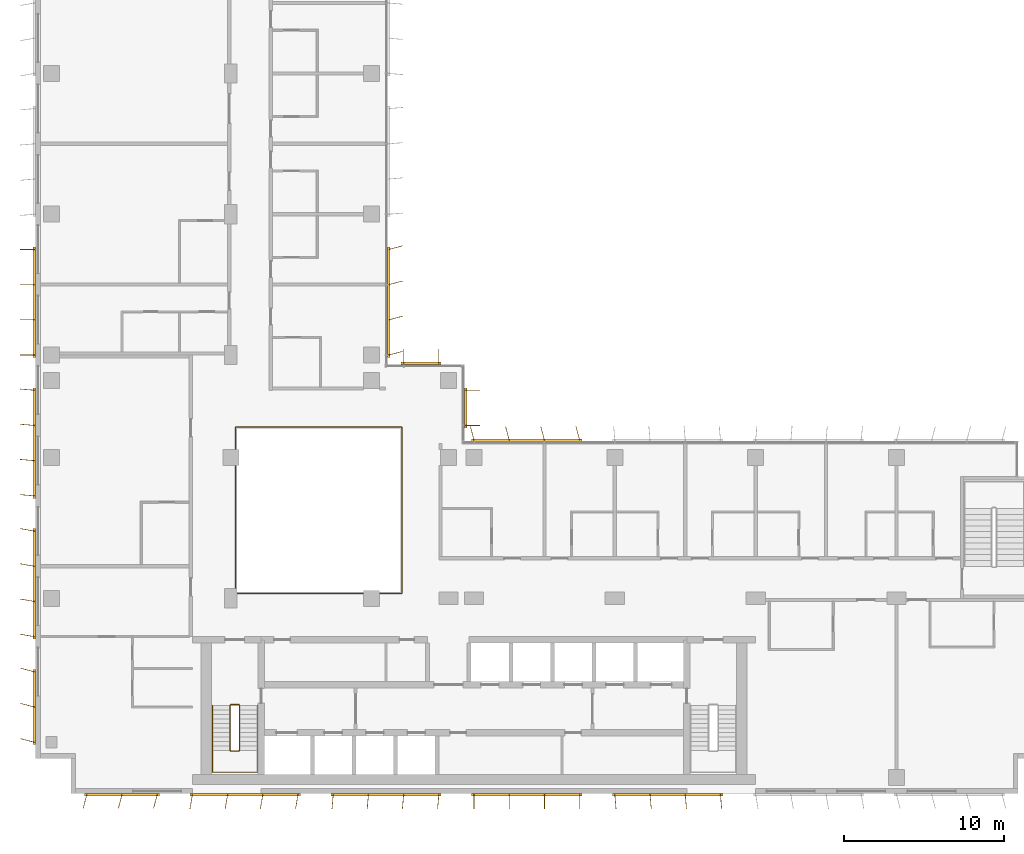
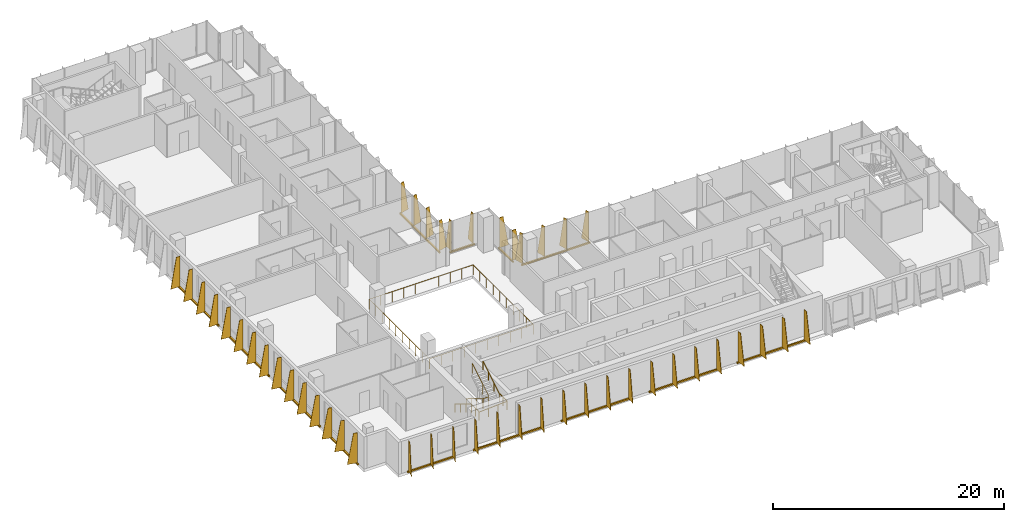
# One storey, part 19 of 21: 13 shading devices, 3 railings.
"""IFC4 building model written with IfcOpenShell, lengths in metres."""

from ifc_helpers import new_model, si_unit, direction, frame, origin, origin_2d, place, context, subcontext, project, spatial, polyline, rectangle, circle, outline, extrude, source, transform, mapped, material, layer, layer_set, type_object, element, save


model = new_model("IFC4")

# Units and contexts
model_context = context("Model", 3, precision=1e-05, world=origin(), true_north=direction((0.0, 1.0)))
body_context = subcontext(model_context, "Body", "Model", "MODEL_VIEW")
ifc_project = project(units=[si_unit("LENGTHUNIT", "METRE"), si_unit("AREAUNIT", "SQUARE_METRE"), si_unit("VOLUMEUNIT", "CUBIC_METRE"), si_unit("PLANEANGLEUNIT", "RADIAN"), si_unit("MASSUNIT", "GRAM", prefix="KILO")], contexts=[model_context])

# Site, building, storey
site_placement = place(None, origin())
site = spatial("IfcSite", under=ifc_project, at=site_placement, CompositionType="ELEMENT")
building_placement = place(site_placement, origin())
building = spatial("IfcBuilding", under=site, at=building_placement, Name="Kemantara Hotel Tower", CompositionType="ELEMENT")
storey_placement = place(building_placement, frame((0.0, 0.0, 215.39990234375)))
storey = spatial("IfcBuildingStorey", under=building, at=storey_placement, Name="L53", CompositionType="ELEMENT", Elevation=215.39990234375)

# Railings
ifc_material_1 = material(Name="Stainless steel and laminated glass balustrade", Category="steel")
railing_type_1 = type_object("IfcRailingType", Name="ATRIUM GUARD 1100", PredefinedType="GUARDRAIL", material=ifc_material_1)
railing_1_placement = place(storey_placement, frame((12.56005859375, 12.5, 0.0)))
element("IfcRailing", 1, at=railing_1_placement, inside=storey, type_object=railing_type_1, Name="ATRIUM GUARD L53", PredefinedType="GUARDRAIL", context=body_context, shape_type="SweptSolid", body=[
    extrude(circle(Radius=0.02490234375, at=origin_2d()), frame((0.0, 0.0, 1.0751953125), z_axis=(1.0, 0.0, 0.0), x_axis=(0.0, 1.0, 0.0)), (0.0, 0.0, 1.0), 10.33984375),
    extrude(circle(Radius=0.02490234375, at=origin_2d()), frame((10.33984375, 0.0, 1.0751953125), z_axis=(0.0, 1.0, 0.0), x_axis=(-1.0, 0.0, 0.0)), (0.0, 0.0, 1.0), 10.39990234375),
    extrude(circle(Radius=0.02490234375, at=origin_2d()), frame((10.33984375, 10.39990234375, 1.0751953125), z_axis=(-1.0, 0.0, 0.0), x_axis=(0.0, -1.0, 0.0)), (0.0, 0.0, 1.0), 10.39990234375),
    extrude(circle(Radius=0.02490234375, at=origin_2d()), frame((-0.06005859375, 10.39990234375, 1.0751953125), z_axis=(0.0, -1.0, 0.0), x_axis=(1.0, 0.0, 0.0)), (0.0, 0.0, 1.0), 10.39990234375),
    extrude(circle(Radius=0.02001953125, at=origin_2d()), origin(), (0.0, 0.0, 1.0), 1.050048828125),
    extrude(circle(Radius=0.02001953125, at=origin_2d()), frame((1.14892578125, 0.0, 0.0)), (0.0, 0.0, 1.0), 1.050048828125),
    extrude(circle(Radius=0.02001953125, at=origin_2d()), frame((2.2978515625, 0.0, 0.0)), (0.0, 0.0, 1.0), 1.050048828125),
    extrude(circle(Radius=0.02001953125, at=origin_2d()), frame((3.446533203125, 0.0, 0.0)), (0.0, 0.0, 1.0), 1.050048828125),
    extrude(circle(Radius=0.02001953125, at=origin_2d()), frame((4.595458984375, 0.0, 0.0)), (0.0, 0.0, 1.0), 1.050048828125),
    extrude(circle(Radius=0.02001953125, at=origin_2d()), frame((5.744384765625, 0.0, 0.0)), (0.0, 0.0, 1.0), 1.050048828125),
    extrude(circle(Radius=0.02001953125, at=origin_2d()), frame((6.893310546875, 0.0, 0.0)), (0.0, 0.0, 1.0), 1.050048828125),
    extrude(circle(Radius=0.02001953125, at=origin_2d()), frame((8.0419921875, 0.0, 0.0)), (0.0, 0.0, 1.0), 1.050048828125),
    extrude(circle(Radius=0.02001953125, at=origin_2d()), frame((9.19091796875, 0.0, 0.0)), (0.0, 0.0, 1.0), 1.050048828125),
    extrude(circle(Radius=0.02001953125, at=origin_2d()), frame((10.33984375, 0.0, 0.0)), (0.0, 0.0, 1.0), 1.050048828125),
    extrude(circle(Radius=0.02001953125, at=origin_2d()), frame((10.33984375, 1.155517578125, 0.0)), (0.0, 0.0, 1.0), 1.050048828125),
    extrude(circle(Radius=0.02001953125, at=origin_2d()), frame((10.33984375, 2.31103515625, 0.0)), (0.0, 0.0, 1.0), 1.050048828125),
    extrude(circle(Radius=0.02001953125, at=origin_2d()), frame((10.33984375, 3.466552734375, 0.0)), (0.0, 0.0, 1.0), 1.050048828125),
    extrude(circle(Radius=0.02001953125, at=origin_2d()), frame((10.33984375, 4.6220703125, 0.0)), (0.0, 0.0, 1.0), 1.050048828125),
    extrude(circle(Radius=0.02001953125, at=origin_2d()), frame((10.33984375, 5.77783203125, 0.0)), (0.0, 0.0, 1.0), 1.050048828125),
    extrude(circle(Radius=0.02001953125, at=origin_2d()), frame((10.33984375, 6.933349609375, 0.0)), (0.0, 0.0, 1.0), 1.050048828125),
    extrude(circle(Radius=0.02001953125, at=origin_2d()), frame((10.33984375, 8.0888671875, 0.0)), (0.0, 0.0, 1.0), 1.050048828125),
    extrude(circle(Radius=0.02001953125, at=origin_2d()), frame((10.33984375, 9.244384765625, 0.0)), (0.0, 0.0, 1.0), 1.050048828125),
    extrude(circle(Radius=0.02001953125, at=origin_2d()), frame((10.33984375, 10.39990234375, 0.0)), (0.0, 0.0, 1.0), 1.050048828125),
    extrude(circle(Radius=0.02001953125, at=origin_2d()), frame((9.184326171875, 10.39990234375, 0.0)), (0.0, 0.0, 1.0), 1.050048828125),
    extrude(circle(Radius=0.02001953125, at=origin_2d()), frame((8.02880859375, 10.39990234375, 0.0)), (0.0, 0.0, 1.0), 1.050048828125),
    extrude(circle(Radius=0.02001953125, at=origin_2d()), frame((6.873291015625, 10.39990234375, 0.0)), (0.0, 0.0, 1.0), 1.050048828125),
    extrude(circle(Radius=0.02001953125, at=origin_2d()), frame((5.7177734375, 10.39990234375, 0.0)), (0.0, 0.0, 1.0), 1.050048828125),
    extrude(circle(Radius=0.02001953125, at=origin_2d()), frame((4.56201171875, 10.39990234375, 0.0)), (0.0, 0.0, 1.0), 1.050048828125),
    extrude(circle(Radius=0.02001953125, at=origin_2d()), frame((3.406494140625, 10.39990234375, 0.0)), (0.0, 0.0, 1.0), 1.050048828125),
    extrude(circle(Radius=0.02001953125, at=origin_2d()), frame((2.2509765625, 10.39990234375, 0.0)), (0.0, 0.0, 1.0), 1.050048828125),
    extrude(circle(Radius=0.02001953125, at=origin_2d()), frame((1.095458984375, 10.39990234375, 0.0)), (0.0, 0.0, 1.0), 1.050048828125),
    extrude(circle(Radius=0.02001953125, at=origin_2d()), frame((-0.06005859375, 10.39990234375, 0.0)), (0.0, 0.0, 1.0), 1.050048828125),
    extrude(circle(Radius=0.02001953125, at=origin_2d()), frame((-0.06005859375, 9.244384765625, 0.0)), (0.0, 0.0, 1.0), 1.050048828125),
    extrude(circle(Radius=0.02001953125, at=origin_2d()), frame((-0.06005859375, 8.0888671875, 0.0)), (0.0, 0.0, 1.0), 1.050048828125),
    extrude(circle(Radius=0.02001953125, at=origin_2d()), frame((-0.06005859375, 6.933349609375, 0.0)), (0.0, 0.0, 1.0), 1.050048828125),
    extrude(circle(Radius=0.02001953125, at=origin_2d()), frame((-0.06005859375, 5.77783203125, 0.0)), (0.0, 0.0, 1.0), 1.050048828125),
    extrude(circle(Radius=0.02001953125, at=origin_2d()), frame((-0.06005859375, 4.6220703125, 0.0)), (0.0, 0.0, 1.0), 1.050048828125),
    extrude(circle(Radius=0.02001953125, at=origin_2d()), frame((-0.06005859375, 3.466552734375, 0.0)), (0.0, 0.0, 1.0), 1.050048828125),
    extrude(circle(Radius=0.02001953125, at=origin_2d()), frame((-0.06005859375, 2.31103515625, 0.0)), (0.0, 0.0, 1.0), 1.050048828125),
    extrude(circle(Radius=0.02001953125, at=origin_2d()), frame((-0.06005859375, 1.155517578125, 0.0)), (0.0, 0.0, 1.0), 1.050048828125),
    extrude(circle(Radius=0.02001953125, at=origin_2d()), frame((-0.06005859375, 0.0, 0.0)), (0.0, 0.0, 1.0), 1.050048828125),
])
ifc_material_2 = material(Name="Stainless steel balustrade", Category="steel")
railing_type_2 = type_object("IfcRailingType", Name="Stair guard 1100 mm", PredefinedType="GUARDRAIL", material=ifc_material_2)
railing_2_placement = place(storey_placement, frame((12.75, 5.5, 3.7001953125)))
element("IfcRailing", 2, at=railing_2_placement, inside=storey, type_object=railing_type_2, Name="L53 ST1 stair guard 1", PredefinedType="GUARDRAIL", context=body_context, shape_type="SweptSolid", body=[
    extrude(circle(Radius=0.02392578125, at=origin_2d()), frame((0.0, 0.0, 1.076171875), z_axis=(0.0, -0.857242210791, -0.514913383045), x_axis=(1.0, 0.0, 0.0)), (0.0, 0.0, 1.0), 3.266357421875),
    extrude(circle(Radius=0.02392578125, at=origin_2d()), frame((0.0, -2.800048828125, -0.60595703125), z_axis=(-0.274243871929, -0.274243871929, -0.92172696468), x_axis=(0.707106781187, -0.707106781187, 0.0)), (0.0, 0.0, 1.0), 0.1826171875),
    extrude(circle(Radius=0.02392578125, at=origin_2d()), frame((-0.050048828125, -2.85009765625, -0.77392578125), z_axis=(-1.0, 0.0, 0.0), x_axis=(0.0, -1.0, 0.0)), (0.0, 0.0, 1.0), 0.5),
    extrude(circle(Radius=0.02392578125, at=origin_2d()), frame((-0.550048828125, -2.85009765625, -0.77392578125), z_axis=(-0.707106781187, 0.707106781187, 0.0), x_axis=(-0.707106781187, -0.707106781187, 0.0)), (0.0, 0.0, 1.0), 0.07080078125),
    extrude(circle(Radius=0.02392578125, at=origin_2d()), frame((-0.60009765625, -2.800048828125, -0.77392578125), z_axis=(0.0, 0.857242210791, -0.514913383045), x_axis=(-1.0, 0.0, 0.0)), (0.0, 0.0, 1.0), 3.266357421875),
    extrude(circle(Radius=0.02392578125, at=origin_2d()), frame((-0.60009765625, 0.0, -2.4560546875), z_axis=(0.274243871929, 0.274243871929, -0.92172696468), x_axis=(-0.707106781187, 0.707106781187, 0.0)), (0.0, 0.0, 1.0), 0.1826171875),
    extrude(circle(Radius=0.02392578125, at=origin_2d()), frame((-0.550048828125, 0.050048828125, -2.6240234375), z_axis=(1.0, 0.0, 0.0), x_axis=(0.0, 1.0, 0.0)), (0.0, 0.0, 1.0), 0.5),
    extrude(circle(Radius=0.02099609375, at=origin_2d()), origin(), (0.0, 0.0, 1.0), 1.052001953125),
    extrude(circle(Radius=0.02099609375, at=origin_2d()), frame((0.0, -0.933349609375, -0.560546875)), (0.0, 0.0, 1.0), 1.052001953125),
    extrude(circle(Radius=0.02099609375, at=origin_2d()), frame((0.0, -1.86669921875, -1.121337890625)), (0.0, 0.0, 1.0), 1.052001953125),
    extrude(circle(Radius=0.02099609375, at=origin_2d()), frame((0.0, -2.800048828125, -1.681884765625)), (0.0, 0.0, 1.0), 1.052001953125),
    extrude(circle(Radius=0.02099609375, at=origin_2d()), frame((-0.050048828125, -2.85009765625, -1.85009765625)), (0.0, 0.0, 1.0), 1.052001953125),
    extrude(circle(Radius=0.02099609375, at=origin_2d()), frame((-0.550048828125, -2.85009765625, -1.85009765625)), (0.0, 0.0, 1.0), 1.052001953125),
    extrude(circle(Radius=0.02099609375, at=origin_2d()), frame((-0.60009765625, -2.800048828125, -1.85009765625)), (0.0, 0.0, 1.0), 1.052001953125),
    extrude(circle(Radius=0.02099609375, at=origin_2d()), frame((-0.60009765625, -1.86669921875, -2.41064453125)), (0.0, 0.0, 1.0), 1.052001953125),
    extrude(circle(Radius=0.02099609375, at=origin_2d()), frame((-0.60009765625, -0.933349609375, -2.971435546875)), (0.0, 0.0, 1.0), 1.052001953125),
    extrude(circle(Radius=0.02099609375, at=origin_2d()), frame((-0.60009765625, 0.0, -3.531982421875)), (0.0, 0.0, 1.0), 1.052001953125),
    extrude(circle(Radius=0.02099609375, at=origin_2d()), frame((-0.550048828125, 0.050048828125, -3.7001953125)), (0.0, 0.0, 1.0), 1.052001953125),
    extrude(circle(Radius=0.02099609375, at=origin_2d()), frame((-0.050048828125, 0.050048828125, -3.7001953125)), (0.0, 0.0, 1.0), 1.052001953125),
])
railing_type_3 = type_object("IfcRailingType", Name="Stair handrail 900 mm", PredefinedType="HANDRAIL", material=ifc_material_2)
railing_3_placement = place(storey_placement, frame((11.050048828125, 5.5, 0.168212890625)))
element("IfcRailing", 3, at=railing_3_placement, inside=storey, type_object=railing_type_3, Name="L53 ST1 stair handrail 1", PredefinedType="HANDRAIL", context=body_context, shape_type="SweptSolid", body=[
    extrude(circle(Radius=0.02392578125, at=origin_2d()), frame((0.0, 0.0, 0.8759765625), z_axis=(0.0, -0.857242210791, 0.514913383045), x_axis=(1.0, 0.0, 0.0)), (0.0, 0.0, 1.0), 3.266357421875),
    extrude(circle(Radius=0.02392578125, at=origin_2d()), frame((0.0, -2.800048828125, 2.5576171875), z_axis=(0.0, -1.0, 0.0), x_axis=(1.0, 0.0, 0.0)), (0.0, 0.0, 1.0), 1.3798828125),
    extrude(circle(Radius=0.02392578125, at=origin_2d()), frame((0.0, -4.179931640625, 2.5576171875), z_axis=(0.998200367801, 0.0, 0.059966871865), x_axis=(0.0, 1.0, 0.0)), (0.0, 0.0, 1.0), 2.80517578125),
    extrude(circle(Radius=0.02392578125, at=origin_2d()), frame((2.800048828125, -4.179931640625, 2.72607421875), z_axis=(0.0, 1.0, 0.0), x_axis=(-1.0, 0.0, 0.0)), (0.0, 0.0, 1.0), 1.3798828125),
    extrude(circle(Radius=0.02392578125, at=origin_2d()), frame((2.800048828125, -2.800048828125, 2.72607421875), z_axis=(0.0, 0.857242210791, 0.514913383045), x_axis=(-1.0, 0.0, 0.0)), (0.0, 0.0, 1.0), 3.266357421875),
    extrude(circle(Radius=0.02099609375, at=origin_2d()), origin(), (0.0, 0.0, 1.0), 0.851806640625),
    extrude(circle(Radius=0.02099609375, at=origin_2d()), frame((0.0, -0.933349609375, 0.560546875)), (0.0, 0.0, 1.0), 0.851806640625),
    extrude(circle(Radius=0.02099609375, at=origin_2d()), frame((0.0, -1.86669921875, 1.121337890625)), (0.0, 0.0, 1.0), 0.851806640625),
    extrude(circle(Radius=0.02099609375, at=origin_2d()), frame((0.0, -2.800048828125, 1.681884765625)), (0.0, 0.0, 1.0), 0.851806640625),
    extrude(circle(Radius=0.02099609375, at=origin_2d()), frame((0.0, -3.489990234375, 1.681884765625)), (0.0, 0.0, 1.0), 0.851806640625),
    extrude(circle(Radius=0.02099609375, at=origin_2d()), frame((0.0, -4.179931640625, 1.681884765625)), (0.0, 0.0, 1.0), 0.851806640625),
    extrude(circle(Radius=0.02099609375, at=origin_2d()), frame((0.933349609375, -4.179931640625, 1.738037109375)), (0.0, 0.0, 1.0), 0.851806640625),
    extrude(circle(Radius=0.02099609375, at=origin_2d()), frame((1.86669921875, -4.179931640625, 1.7939453125)), (0.0, 0.0, 1.0), 0.851806640625),
    extrude(circle(Radius=0.02099609375, at=origin_2d()), frame((2.800048828125, -4.179931640625, 1.85009765625)), (0.0, 0.0, 1.0), 0.851806640625),
    extrude(circle(Radius=0.02099609375, at=origin_2d()), frame((2.800048828125, -3.489990234375, 1.85009765625)), (0.0, 0.0, 1.0), 0.851806640625),
    extrude(circle(Radius=0.02099609375, at=origin_2d()), frame((2.800048828125, -2.800048828125, 1.85009765625)), (0.0, 0.0, 1.0), 0.851806640625),
    extrude(circle(Radius=0.02099609375, at=origin_2d()), frame((2.800048828125, -1.86669921875, 2.41064453125)), (0.0, 0.0, 1.0), 0.851806640625),
    extrude(circle(Radius=0.02099609375, at=origin_2d()), frame((2.800048828125, -0.933349609375, 2.971435546875)), (0.0, 0.0, 1.0), 0.851806640625),
    extrude(circle(Radius=0.02099609375, at=origin_2d()), frame((2.800048828125, 0.0, 3.531982421875)), (0.0, 0.0, 1.0), 0.851806640625),
])

# Shading devices
ifc_material_3 = material(Name="Perforated aluminium plate 4 mm bronze anodised", Category="aluminium")
ifc_layer_1 = layer(ifc_material_3, 0.0400390625)
ifc_layer_set_1 = layer_set([ifc_layer_1], Name="Perforated aluminium plate 4 mm bronze anodised")
shading_device_type_1 = type_object("IfcShadingDeviceType", Name="SCREEN FIN CASSETTE, 3 BLADES AT -15.0 DEG, 3200 HIGH", PredefinedType="USERDEFINED", material=ifc_layer_set_1)
shared_shape_1 = source(origin(), body_context, "Body", "SweptSolid", [
    extrude(rectangle(XDim=4.699951171875, YDim=0.14990234375, at=origin_2d()), frame((2.199951171875, -0.074951171875, -0.14990234375), z_axis=(0.0, 0.0, 1.0), x_axis=(1.0, 0.0, 0.0)), (0.0, 0.0, 1.0), 0.14990234375),
    extrude(outline(polyline([(0.0, 0.0), (0.89990234375, 0.0), (0.35009765625, 3.199951171875), (0.0, 3.199951171875), (0.0, 0.0)])), frame((0.019287109375, -0.080078125, 0.0), z_axis=(-0.966437683387, 0.256901156343, 0.0), x_axis=(-0.256901156343, -0.966437683387, 0.0)), (0.0, 0.0, 1.0), 0.039794921875),
    extrude(outline(polyline([(0.0, 0.0), (0.89990234375, 0.0), (0.35009765625, 3.199951171875), (0.0, 3.199951171875), (0.0, 0.0)])), frame((2.21923828125, -0.080078125, 0.0), z_axis=(-0.966437683387, 0.256901156343, 0.0), x_axis=(-0.256901156343, -0.966437683387, 0.0)), (0.0, 0.0, 1.0), 0.039794921875),
    extrude(outline(polyline([(0.0, 0.0), (0.89990234375, 0.0), (0.35009765625, 3.199951171875), (0.0, 3.199951171875), (0.0, 0.0)])), frame((4.41943359375, -0.080078125, 0.0), z_axis=(-0.966837822169, 0.255391122837, 0.0), x_axis=(-0.255391122837, -0.966837822169, 0.0)), (0.0, 0.0, 1.0), 0.0400390625),
])
for number, where, z_axis, x_axis, name in (
    (4, (0.0, 7.60009765625, 0.10009765625), (0.0, 0.0, 1.0), (0.0, -1.0, 0.0), "SCREEN FIN CASSETTE L53 T3-R05-7"),
    (5, (3.199951171875, 0.0, 0.10009765625), (0.0, 0.0, 1.0), (1.0, 0.0, 0.0), "SCREEN FIN CASSETTE L53 T3-R08-1"),
):
    element("IfcShadingDevice", number, at=place(storey_placement, frame(where, z_axis=z_axis, x_axis=x_axis)), inside=storey, type_object=shading_device_type_1, Name=name, ObjectType="SCREEN FIN", PredefinedType="USERDEFINED", context=body_context, shape_type="MappedRepresentation", body=[
        mapped(shared_shape_1, transform((0.0, 0.0, 0.0))),
    ])
ifc_layer_2 = layer(ifc_material_3, 0.0400390625)
ifc_layer_set_2 = layer_set([ifc_layer_2], Name="Perforated aluminium plate 4 mm bronze anodised")
shading_device_type_2 = type_object("IfcShadingDeviceType", Name="SCREEN FIN CASSETTE, 4 BLADES AT -10.0 DEG, 3200 HIGH", PredefinedType="USERDEFINED", material=ifc_layer_set_2)
shared_shape_2 = source(origin(), body_context, "Body", "SweptSolid", [
    extrude(rectangle(XDim=6.89990234375, YDim=0.14990234375, at=origin_2d()), frame((3.300048828125, -0.074951171875, -0.14990234375), z_axis=(0.0, 0.0, 1.0), x_axis=(1.0, 0.0, 0.0)), (0.0, 0.0, 1.0), 0.14990234375),
    extrude(outline(polyline([(0.0, 0.0), (0.89990234375, 0.0), (0.35009765625, 3.199951171875), (0.0, 3.199951171875), (0.0, 0.0)])), frame((0.019775390625, -0.078369140625, 0.0), z_axis=(-0.985389793052, 0.170314285219, 0.0), x_axis=(-0.170314285219, -0.985389793052, 0.0)), (0.0, 0.0, 1.0), 0.0400390625),
    extrude(outline(polyline([(0.0, 0.0), (0.89990234375, 0.0), (0.35009765625, 3.199951171875), (0.0, 3.199951171875), (0.0, 0.0)])), frame((2.2197265625, -0.078369140625, 0.0), z_axis=(-0.98521175482, 0.171341174751, 0.0), x_axis=(-0.171341174751, -0.98521175482, 0.0)), (0.0, 0.0, 1.0), 0.039794921875),
    extrude(outline(polyline([(0.0, 0.0), (0.89990234375, 0.0), (0.35009765625, 3.199951171875), (0.0, 3.199951171875), (0.0, 0.0)])), frame((4.419677734375, -0.078369140625, 0.0), z_axis=(-0.98521175482, 0.171341174751, 0.0), x_axis=(-0.171341174751, -0.98521175482, 0.0)), (0.0, 0.0, 1.0), 0.039794921875),
    extrude(outline(polyline([(0.0, 0.0), (0.89990234375, 0.0), (0.35009765625, 3.199951171875), (0.0, 3.199951171875), (0.0, 0.0)])), frame((6.61962890625, -0.078369140625, 0.0), z_axis=(-0.98521175482, 0.171341174751, 0.0), x_axis=(-0.171341174751, -0.98521175482, 0.0)), (0.0, 0.0, 1.0), 0.039794921875),
])
for number, where, z_axis, x_axis, name in (
    (6, (0.0, 16.39990234375, 0.10009765625), (0.0, 0.0, 1.0), (0.0, -1.0, 0.0), "SCREEN FIN CASSETTE L53 T3-R05-6"),
    (7, (9.800048828125, 0.0, 0.10009765625), (0.0, 0.0, 1.0), (1.0, 0.0, 0.0), "SCREEN FIN CASSETTE L53 T3-R08-2"),
):
    element("IfcShadingDevice", number, at=place(storey_placement, frame(where, z_axis=z_axis, x_axis=x_axis)), inside=storey, type_object=shading_device_type_2, Name=name, ObjectType="SCREEN FIN", PredefinedType="USERDEFINED", context=body_context, shape_type="MappedRepresentation", body=[
        mapped(shared_shape_2, transform((0.0, 0.0, 0.0))),
    ])
ifc_layer_3 = layer(ifc_material_3, 0.0400390625)
ifc_layer_set_3 = layer_set([ifc_layer_3], Name="Perforated aluminium plate 4 mm bronze anodised")
shading_device_type_3 = type_object("IfcShadingDeviceType", Name="SCREEN FIN CASSETTE, 4 BLADES AT -5.0 DEG, 3200 HIGH", PredefinedType="USERDEFINED", material=ifc_layer_set_3)
shared_shape_3 = source(origin(), body_context, "Body", "SweptSolid", [
    extrude(rectangle(XDim=6.89990234375, YDim=0.14990234375, at=origin_2d()), frame((3.300048828125, -0.074951171875, -0.14990234375), z_axis=(0.0, 0.0, 1.0), x_axis=(1.0, 0.0, 0.0)), (0.0, 0.0, 1.0), 0.14990234375),
    extrude(outline(polyline([(0.0, 0.0), (0.89990234375, 0.0), (0.35009765625, 3.199951171875), (0.0, 3.199951171875), (0.0, 0.0)])), frame((0.02001953125, -0.07666015625, 0.0), z_axis=(-0.996376129781, 0.085056498884, 0.0), x_axis=(-0.085056498884, -0.996376129781, 0.0)), (0.0, 0.0, 1.0), 0.040283203125),
    extrude(outline(polyline([(0.0, 0.0), (0.89990234375, 0.0), (0.35009765625, 3.199951171875), (0.0, 3.199951171875), (0.0, 0.0)])), frame((2.219970703125, -0.07666015625, 0.0), z_axis=(-0.996331773833, 0.085574508182, 0.0), x_axis=(-0.085574508182, -0.996331773833, 0.0)), (0.0, 0.0, 1.0), 0.0400390625),
    extrude(outline(polyline([(0.0, 0.0), (0.89990234375, 0.0), (0.35009765625, 3.199951171875), (0.0, 3.199951171875), (0.0, 0.0)])), frame((4.419921875, -0.07666015625, 0.0), z_axis=(-0.996331773833, 0.085574508182, 0.0), x_axis=(-0.085574508182, -0.996331773833, 0.0)), (0.0, 0.0, 1.0), 0.0400390625),
    extrude(outline(polyline([(0.0, 0.0), (0.89990234375, 0.0), (0.35009765625, 3.199951171875), (0.0, 3.199951171875), (0.0, 0.0)])), frame((6.619873046875, -0.07666015625, 0.0), z_axis=(-0.996331773833, 0.085574508182, 0.0), x_axis=(-0.085574508182, -0.996331773833, 0.0)), (0.0, 0.0, 1.0), 0.0400390625),
])
for number, where, z_axis, x_axis, name in (
    (8, (0.0, 25.199951171875, 0.10009765625), (0.0, 0.0, 1.0), (0.0, -1.0, 0.0), "SCREEN FIN CASSETTE L53 T3-R05-5"),
    (9, (18.60009765625, 0.0, 0.10009765625), (0.0, 0.0, 1.0), (1.0, 0.0, 0.0), "SCREEN FIN CASSETTE L53 T3-R08-3"),
):
    element("IfcShadingDevice", number, at=place(storey_placement, frame(where, z_axis=z_axis, x_axis=x_axis)), inside=storey, type_object=shading_device_type_3, Name=name, ObjectType="SCREEN FIN", PredefinedType="USERDEFINED", context=body_context, shape_type="MappedRepresentation", body=[
        mapped(shared_shape_3, transform((0.0, 0.0, 0.0))),
    ])
ifc_layer_4 = layer(ifc_material_3, 0.0400390625)
ifc_layer_set_4 = layer_set([ifc_layer_4], Name="Perforated aluminium plate 4 mm bronze anodised")
shading_device_type_4 = type_object("IfcShadingDeviceType", Name="SCREEN FIN CASSETTE, 4 BLADES AT +0.0 DEG, 3200 HIGH", PredefinedType="USERDEFINED", material=ifc_layer_set_4)
shared_shape_4 = source(origin(), body_context, "Body", "SweptSolid", [
    extrude(rectangle(XDim=6.89990234375, YDim=0.14990234375, at=origin_2d()), frame((3.300048828125, -0.074951171875, -0.14990234375), z_axis=(0.0, 0.0, 1.0), x_axis=(1.0, 0.0, 0.0)), (0.0, 0.0, 1.0), 0.14990234375),
    extrude(outline(polyline([(0.0, 0.0), (0.89990234375, 0.0), (0.35009765625, 3.199951171875), (0.0, 3.199951171875), (0.0, 0.0)])), frame((0.02001953125, -0.074951171875, 0.0), z_axis=(-1.0, 0.0, 0.0), x_axis=(0.0, -1.0, 0.0)), (0.0, 0.0, 1.0), 0.0400390625),
    extrude(outline(polyline([(0.0, 0.0), (0.89990234375, 0.0), (0.35009765625, 3.199951171875), (0.0, 3.199951171875), (0.0, 0.0)])), frame((2.219970703125, -0.074951171875, 0.0), z_axis=(-1.0, 0.0, 0.0), x_axis=(0.0, -1.0, 0.0)), (0.0, 0.0, 1.0), 0.0400390625),
    extrude(outline(polyline([(0.0, 0.0), (0.89990234375, 0.0), (0.35009765625, 3.199951171875), (0.0, 3.199951171875), (0.0, 0.0)])), frame((4.419921875, -0.074951171875, 0.0), z_axis=(-1.0, 0.0, 0.0), x_axis=(0.0, -1.0, 0.0)), (0.0, 0.0, 1.0), 0.0400390625),
    extrude(outline(polyline([(0.0, 0.0), (0.89990234375, 0.0), (0.35009765625, 3.199951171875), (0.0, 3.199951171875), (0.0, 0.0)])), frame((6.6201171875, -0.074951171875, 0.0), z_axis=(-1.0, 0.0, 0.0), x_axis=(0.0, -1.0, 0.0)), (0.0, 0.0, 1.0), 0.0400390625),
])
for number, where, z_axis, x_axis, name in (
    (10, (0.0, 34.0, 0.10009765625), (0.0, 0.0, 1.0), (0.0, -1.0, 0.0), "SCREEN FIN CASSETTE L53 T3-R05-4"),
    (11, (27.39990234375, 0.0, 0.10009765625), (0.0, 0.0, 1.0), (1.0, 0.0, 0.0), "SCREEN FIN CASSETTE L53 T3-R08-4"),
):
    element("IfcShadingDevice", number, at=place(storey_placement, frame(where, z_axis=z_axis, x_axis=x_axis)), inside=storey, type_object=shading_device_type_4, Name=name, ObjectType="SCREEN FIN", PredefinedType="USERDEFINED", context=body_context, shape_type="MappedRepresentation", body=[
        mapped(shared_shape_4, transform((0.0, 0.0, 0.0))),
    ])
ifc_layer_5 = layer(ifc_material_3, 0.0400390625)
ifc_layer_set_5 = layer_set([ifc_layer_5], Name="Perforated aluminium plate 4 mm bronze anodised")
shading_device_type_5 = type_object("IfcShadingDeviceType", Name="SCREEN FIN CASSETTE, 4 BLADES AT +5.0 DEG, 3200 HIGH", PredefinedType="USERDEFINED", material=ifc_layer_set_5)
shared_shape_5 = source(origin(), body_context, "Body", "SweptSolid", [
    extrude(rectangle(XDim=6.89990234375, YDim=0.14990234375, at=origin_2d()), frame((3.300048828125, -0.074951171875, -0.14990234375), z_axis=(0.0, 0.0, 1.0), x_axis=(1.0, 0.0, 0.0)), (0.0, 0.0, 1.0), 0.14990234375),
    extrude(outline(polyline([(0.0, 0.0), (0.89990234375, 0.0), (0.35009765625, 3.199951171875), (0.0, 3.199951171875), (0.0, 0.0)])), frame((0.02001953125, -0.0732421875, 0.0), z_axis=(-0.996376129781, -0.085056498884, 0.0), x_axis=(0.085056498884, -0.996376129781, 0.0)), (0.0, 0.0, 1.0), 0.040283203125),
    extrude(outline(polyline([(0.0, 0.0), (0.89990234375, 0.0), (0.35009765625, 3.199951171875), (0.0, 3.199951171875), (0.0, 0.0)])), frame((2.219970703125, -0.0732421875, 0.0), z_axis=(-0.996331773833, -0.085574508182, 0.0), x_axis=(0.085574508182, -0.996331773833, 0.0)), (0.0, 0.0, 1.0), 0.0400390625),
    extrude(outline(polyline([(0.0, 0.0), (0.89990234375, 0.0), (0.35009765625, 3.199951171875), (0.0, 3.199951171875), (0.0, 0.0)])), frame((4.419921875, -0.0732421875, 0.0), z_axis=(-0.996331773833, -0.085574508182, 0.0), x_axis=(0.085574508182, -0.996331773833, 0.0)), (0.0, 0.0, 1.0), 0.0400390625),
    extrude(outline(polyline([(0.0, 0.0), (0.89990234375, 0.0), (0.35009765625, 3.199951171875), (0.0, 3.199951171875), (0.0, 0.0)])), frame((6.619873046875, -0.0732421875, 0.0), z_axis=(-0.996331773833, -0.085574508182, 0.0), x_axis=(0.085574508182, -0.996331773833, 0.0)), (0.0, 0.0, 1.0), 0.0400390625),
])
shading_device_placement = place(storey_placement, frame((36.199951171875, 0.0, 0.10009765625), z_axis=(0.0, 0.0, 1.0), x_axis=(1.0, 0.0, 0.0)))
element("IfcShadingDevice", 12, at=shading_device_placement, inside=storey, type_object=shading_device_type_5, Name="SCREEN FIN CASSETTE L53 T3-R08-5", ObjectType="SCREEN FIN", PredefinedType="USERDEFINED", context=body_context, shape_type="MappedRepresentation", body=[
    mapped(shared_shape_5, transform((0.0, 0.0, 0.0))),
])
ifc_layer_6 = layer(ifc_material_3, 0.0400390625)
ifc_layer_set_6 = layer_set([ifc_layer_6], Name="Perforated aluminium plate 4 mm bronze anodised")
shading_device_type_6 = type_object("IfcShadingDeviceType", Name="SCREEN FIN CASSETTE, 4 BLADES AT +15.0 DEG, 3200 HIGH", PredefinedType="USERDEFINED", material=ifc_layer_set_6)
shared_shape_6 = source(origin(), body_context, "Body", "SweptSolid", [
    extrude(rectangle(XDim=6.89990234375, YDim=0.14990234375, at=origin_2d()), frame((3.300048828125, -0.074951171875, -0.14990234375), z_axis=(0.0, 0.0, 1.0), x_axis=(1.0, 0.0, 0.0)), (0.0, 0.0, 1.0), 0.14990234375),
    extrude(outline(polyline([(0.0, 0.0), (0.89990234375, 0.0), (0.35009765625, 3.199951171875), (0.0, 3.199951171875), (0.0, 0.0)])), frame((0.019287109375, -0.06982421875, 0.0), z_axis=(-0.966437683387, -0.256901156343, 0.0), x_axis=(0.256901156343, -0.966437683387, 0.0)), (0.0, 0.0, 1.0), 0.039794921875),
    extrude(outline(polyline([(0.0, 0.0), (0.89990234375, 0.0), (0.35009765625, 3.199951171875), (0.0, 3.199951171875), (0.0, 0.0)])), frame((2.21923828125, -0.06982421875, 0.0), z_axis=(-0.966437683387, -0.256901156343, 0.0), x_axis=(0.256901156343, -0.966437683387, 0.0)), (0.0, 0.0, 1.0), 0.039794921875),
    extrude(outline(polyline([(0.0, 0.0), (0.89990234375, 0.0), (0.35009765625, 3.199951171875), (0.0, 3.199951171875), (0.0, 0.0)])), frame((4.41943359375, -0.06982421875, 0.0), z_axis=(-0.966837822169, -0.255391122837, 0.0), x_axis=(0.255391122837, -0.966837822169, 0.0)), (0.0, 0.0, 1.0), 0.0400390625),
    extrude(outline(polyline([(0.0, 0.0), (0.89990234375, 0.0), (0.35009765625, 3.199951171875), (0.0, 3.199951171875), (0.0, 0.0)])), frame((6.619384765625, -0.06982421875, 0.0), z_axis=(-0.966837822169, -0.255391122837, 0.0), x_axis=(0.255391122837, -0.966837822169, 0.0)), (0.0, 0.0, 1.0), 0.0400390625),
])
for number, where, z_axis, x_axis, name in (
    (13, (34.0, 22.0, 0.10009765625), (0.0, 0.0, 1.0), (-1.0, 0.0, 0.0), "SCREEN FIN CASSETTE L53 T3-R14-4"),
    (14, (22.0, 27.39990234375, 0.10009765625), (0.0, 0.0, 1.0), (0.0, 1.0, 0.0), "SCREEN FIN CASSETTE L53 T3-R17-1"),
):
    element("IfcShadingDevice", number, at=place(storey_placement, frame(where, z_axis=z_axis, x_axis=x_axis)), inside=storey, type_object=shading_device_type_6, Name=name, ObjectType="SCREEN FIN", PredefinedType="USERDEFINED", context=body_context, shape_type="MappedRepresentation", body=[
        mapped(shared_shape_6, transform((0.0, 0.0, 0.0))),
    ])
ifc_layer_7 = layer(ifc_material_3, 0.0400390625)
ifc_layer_set_7 = layer_set([ifc_layer_7], Name="Perforated aluminium plate 4 mm bronze anodised")
shading_device_type_7 = type_object("IfcShadingDeviceType", Name="SCREEN FIN CASSETTE, 2 BLADES AT +0.0 DEG, 3200 HIGH", PredefinedType="USERDEFINED", material=ifc_layer_set_7)
shared_shape_7 = source(origin(), body_context, "Body", "SweptSolid", [
    extrude(rectangle(XDim=2.5, YDim=0.14990234375, at=origin_2d()), frame((1.10009765625, -0.074951171875, -0.14990234375), z_axis=(0.0, 0.0, 1.0), x_axis=(1.0, 0.0, 0.0)), (0.0, 0.0, 1.0), 0.14990234375),
    extrude(outline(polyline([(0.0, 0.0), (0.89990234375, 0.0), (0.35009765625, 3.199951171875), (0.0, 3.199951171875), (0.0, 0.0)])), frame((0.02001953125, -0.074951171875, 0.0), z_axis=(-1.0, 0.0, 0.0), x_axis=(0.0, -1.0, 0.0)), (0.0, 0.0, 1.0), 0.0400390625),
    extrude(outline(polyline([(0.0, 0.0), (0.89990234375, 0.0), (0.35009765625, 3.199951171875), (0.0, 3.199951171875), (0.0, 0.0)])), frame((2.219970703125, -0.074951171875, 0.0), z_axis=(-1.0, 0.0, 0.0), x_axis=(0.0, -1.0, 0.0)), (0.0, 0.0, 1.0), 0.0400390625),
])
for number, where, z_axis, x_axis, name in (
    (15, (26.800048828125, 23.0, 0.10009765625), (0.0, 0.0, 1.0), (0.0, 1.0, 0.0), "SCREEN FIN CASSETTE L53 T3-R15-1"),
    (16, (25.199951171875, 26.800048828125, 0.10009765625), (0.0, 0.0, 1.0), (-1.0, 0.0, 0.0), "SCREEN FIN CASSETTE L53 T3-R16-1"),
):
    element("IfcShadingDevice", number, at=place(storey_placement, frame(where, z_axis=z_axis, x_axis=x_axis)), inside=storey, type_object=shading_device_type_7, Name=name, ObjectType="SCREEN FIN", PredefinedType="USERDEFINED", context=body_context, shape_type="MappedRepresentation", body=[
        mapped(shared_shape_7, transform((0.0, 0.0, 0.0))),
    ])

save(model, "model.ifc")
